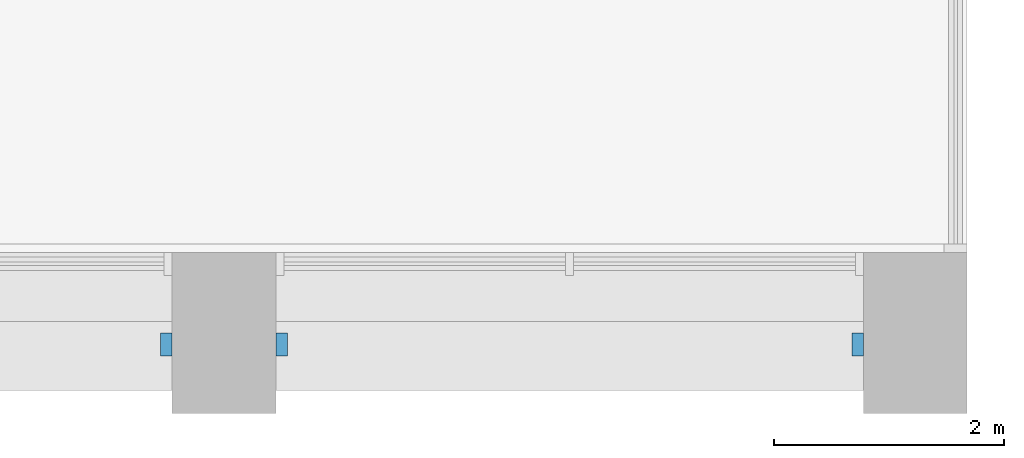
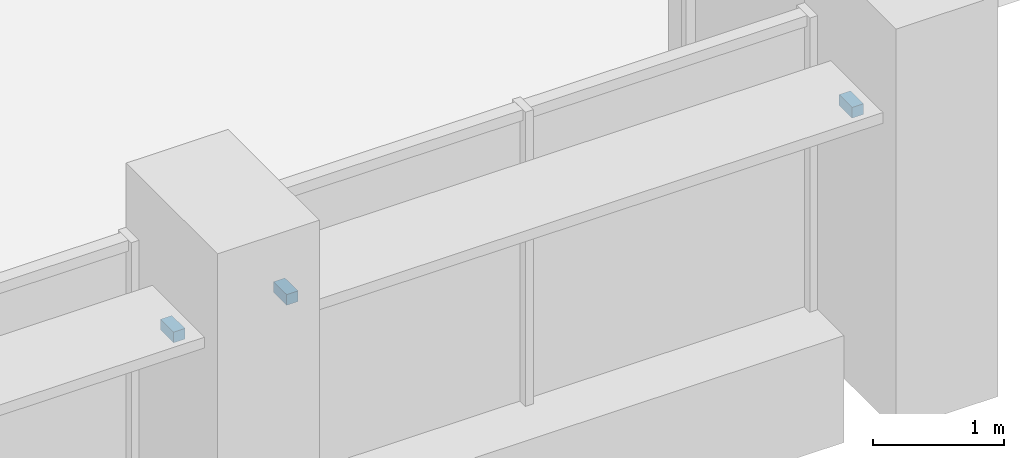
# One storey, part 14 of 15: 3 discrete accessories.
"""IFC4 building model written with IfcOpenShell, lengths in metres."""

from ifc_helpers import new_model, si_unit, direction, frame, origin, origin_2d, place, context, subcontext, project, spatial, rectangle, extrude, element, save


model = new_model("IFC4")

# Units and contexts
model_context = context("Model", 3, precision=1e-05, world=origin(), true_north=direction((0.0, 1.0)))
body_context = subcontext(model_context, "Body", "Model", "MODEL_VIEW")
ifc_project = project(units=[si_unit("LENGTHUNIT", "METRE"), si_unit("AREAUNIT", "SQUARE_METRE"), si_unit("VOLUMEUNIT", "CUBIC_METRE"), si_unit("PLANEANGLEUNIT", "RADIAN"), si_unit("MASSUNIT", "GRAM", prefix="KILO")], contexts=[model_context])

# Site, building, storey
site_placement = place(None, origin())
site = spatial("IfcSite", under=ifc_project, at=site_placement, CompositionType="ELEMENT")
building_placement = place(site_placement, origin())
building = spatial("IfcBuilding", under=site, at=building_placement, Name="Calvaro Tower", CompositionType="ELEMENT")
storey_placement = place(building_placement, frame((0.0, 0.0, 110.0)))
storey = spatial("IfcBuildingStorey", under=building, at=storey_placement, Name="L27", CompositionType="ELEMENT", Elevation=110.0)

# Discrete accessories
for number, where, z_axis, x_axis, name in (
    (1, (59.5, 2.10009765625, 2.25), (0.0, 0.0, 1.0), (1.0, 0.0, 0.0), "Brise-soleil bracket"),
    (2, (60.5, 2.10009765625, 2.25), (0.0, 0.0, 1.0), (1.0, 0.0, 0.0), "Brise-soleil bracket"),
    (3, (65.5, 2.10009765625, 2.25), (0.0, 0.0, 1.0), (1.0, 0.0, 0.0), "Brise-soleil bracket"),
):
    element("IfcDiscreteAccessory", number, at=place(storey_placement, frame(where, z_axis=z_axis, x_axis=x_axis)), inside=storey, Name=name, PredefinedType="BRACKET", context=body_context, shape_type="SweptSolid", body=[
        extrude(rectangle(XDim=0.10009765625, YDim=0.199951171875, at=origin_2d()), origin(), (0.0, 0.0, 1.0), 0.10009765625),
    ])

save(model, "model.ifc")
